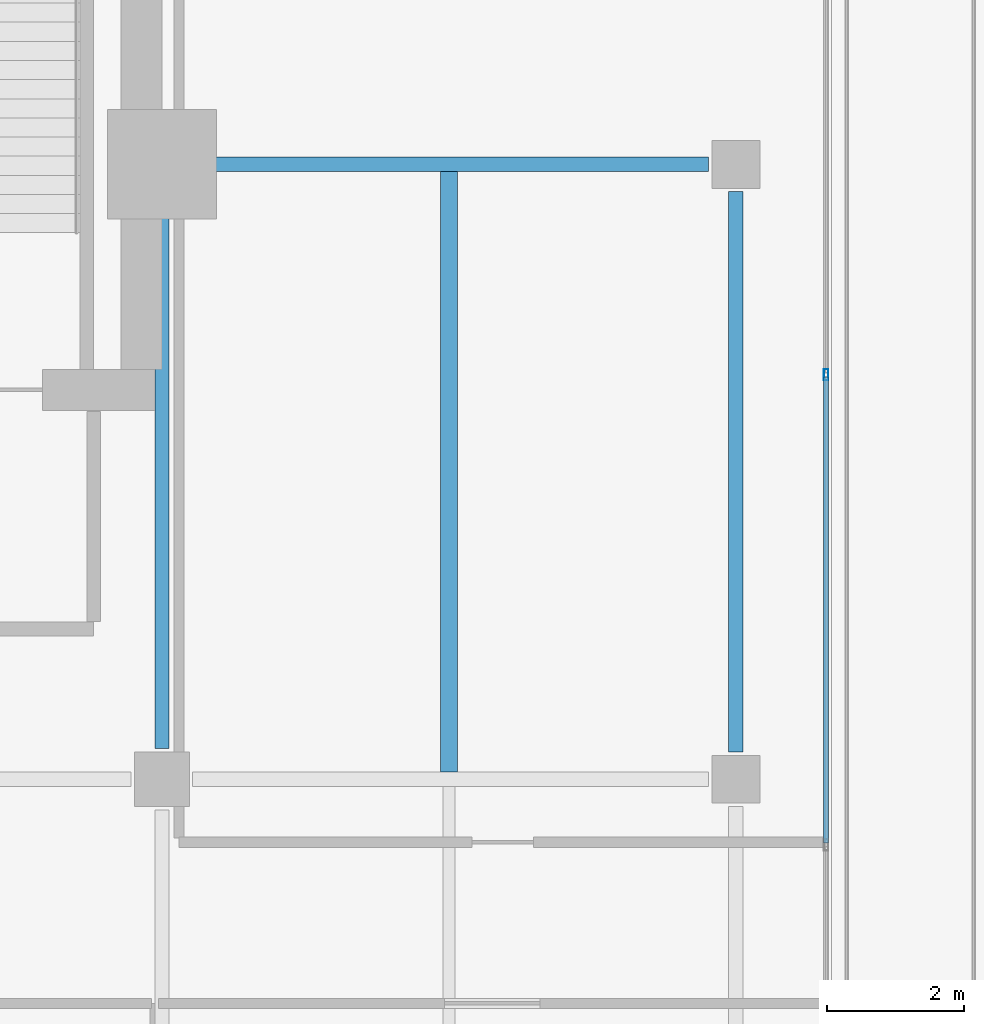
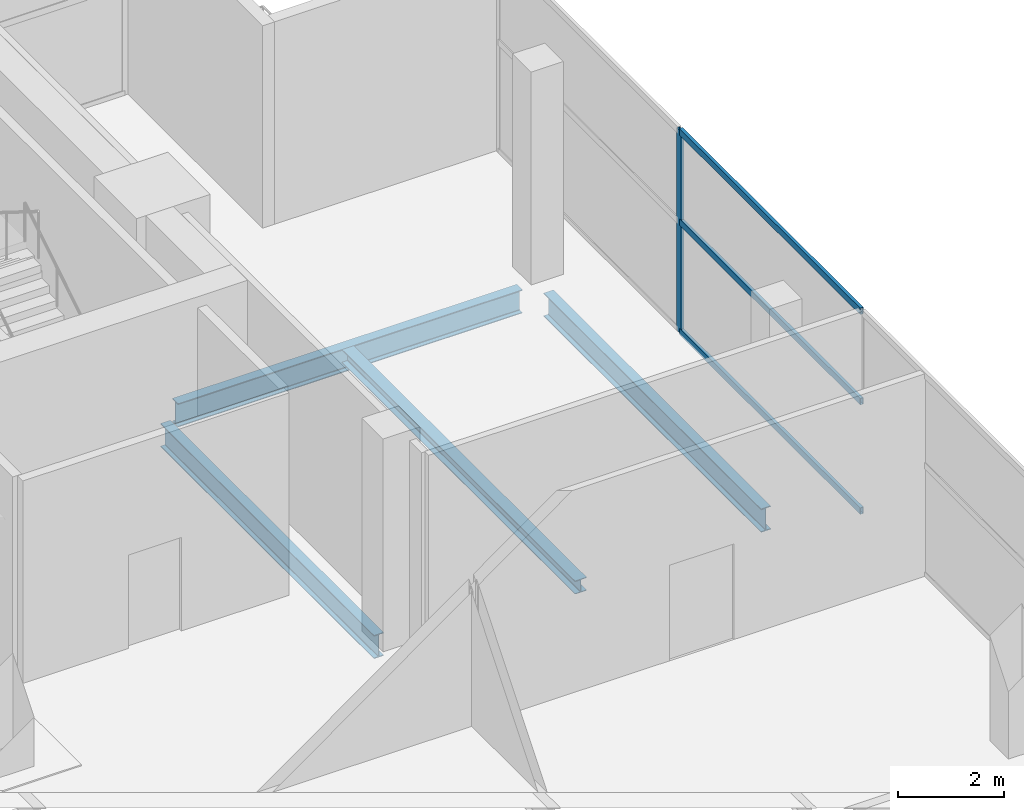
# One storey, part 19 of 28: 4 beams, 4 members, 1 element without a shape of its own.
"""IFC4 building model written with IfcOpenShell, lengths in metres."""

import ifcopenshell
import ifcopenshell.guid

model = None  # the IFC model being written
_history = None  # IfcOwnerHistory: only IFC2X3 demands one
_inside = {}  # id of a spatial element -> (the spatial element, [elements in it])
_under = {}  # id of a project, library or spatial element -> (it, [spatial elements below it])
_declared = {}  # id of a project -> (the project, [libraries it declares])
_typed = {}  # id of a type object -> (the type object, [elements of that type])
_made_of = {}  # id of a material, layer set ... -> (it, [elements and type objects made of it])


def new_model(schema):
    """Start an empty IFC model of exactly this schema.

    Asked for "IFC4X3", IfcOpenShell would pick the latest addendum, in which some entities
    have other attributes; the version numbers below select the first issue.
    IFC2X3 requires an IfcOwnerHistory on every rooted entity: one is made here for all.
    """
    global model, _history
    if schema == "IFC4X3":
        model = ifcopenshell.file(schema_version=(4, 3, 0, 0))
    else:
        model = ifcopenshell.file(schema=schema)
    _inside.clear()
    _under.clear()
    _declared.clear()
    _typed.clear()
    _made_of.clear()
    _history = None
    if model.schema == "IFC2X3":
        org = make("IfcOrganization", Name="unknown")
        user = make(
            "IfcPersonAndOrganization",
            ThePerson=make("IfcPerson", FamilyName="unknown"),
            TheOrganization=org,
        )
        app = make(
            "IfcApplication",
            ApplicationDeveloper=org,
            Version="unknown",
            ApplicationFullName="unknown",
            ApplicationIdentifier="unknown",
        )
        _history = make(
            "IfcOwnerHistory",
            OwningUser=user,
            OwningApplication=app,
            ChangeAction="ADDED",
            CreationDate=0,
        )
    return model


def make(cls, **values):
    """One entity of the class cls with the attributes given. An attribute that is None is left unset."""
    return model.create_entity(
        cls, **{name: value for name, value in values.items() if value is not None}
    )


def rooted(cls, **values):
    """An entity with a GlobalId (a new one), such as an element, a storey or a relation."""
    return make(cls, GlobalId=ifcopenshell.guid.new(), OwnerHistory=_history, **values)


def si_unit(unit_type, name, prefix=None):
    """IfcSIUnit, for example si_unit("LENGTHUNIT", "METRE", prefix="MILLI")."""
    return make("IfcSIUnit", UnitType=unit_type, Prefix=prefix, Name=name)


def assignment(units):
    """IfcUnitAssignment: the units of a project."""
    return None if units is None else make("IfcUnitAssignment", Units=units)


def point(xyz):
    """IfcCartesianPoint."""
    return None if xyz is None else make("IfcCartesianPoint", Coordinates=xyz)


def direction(xyz):
    """IfcDirection."""
    return None if xyz is None else make("IfcDirection", DirectionRatios=xyz)


def frame(location, z_axis=None, x_axis=None):
    """IfcAxis2Placement3D, a coordinate frame: its origin and axes. An axis left out is left unset."""
    return make(
        "IfcAxis2Placement3D",
        Location=point(location),
        Axis=direction(z_axis),
        RefDirection=direction(x_axis),
    )


def frame_2d(location, x_axis=None):
    """IfcAxis2Placement2D, a coordinate frame in the plane: its origin and x axis."""
    return make(
        "IfcAxis2Placement2D", Location=point(location), RefDirection=direction(x_axis)
    )


def origin():
    """The frame at (0, 0, 0) with its axes left unset."""
    return frame((0.0, 0.0, 0.0))


def origin_2d():
    """The frame at (0, 0) in the plane with its x axis left unset."""
    return frame_2d((0.0, 0.0))


def place(relative_to, where):
    """IfcLocalPlacement: puts the frame where relative to a parent placement (None: the world)."""
    return make(
        "IfcLocalPlacement", PlacementRelTo=relative_to, RelativePlacement=where
    )


def context(
    kind, dimensions, precision=None, world=None, true_north=None, identifier=None
):
    """IfcGeometricRepresentationContext, for example the 3D "Model" context."""
    return make(
        "IfcGeometricRepresentationContext",
        ContextIdentifier=identifier,
        ContextType=kind,
        CoordinateSpaceDimension=dimensions,
        Precision=precision,
        WorldCoordinateSystem=world,
        TrueNorth=true_north,
    )


def subcontext(parent, identifier, kind, view, scale=None):
    """IfcGeometricRepresentationSubContext, for example "Body" below "Model"."""
    return make(
        "IfcGeometricRepresentationSubContext",
        ContextIdentifier=identifier,
        ContextType=kind,
        ParentContext=parent,
        TargetScale=scale,
        TargetView=view,
    )


def project(units=None, contexts=None):
    """IfcProject with its units and contexts."""
    return rooted(
        "IfcProject",
        Name="project",
        RepresentationContexts=contexts,
        UnitsInContext=assignment(units),
    )


def spatial(cls, under=None, at=None, **own):
    """A site, building, storey or space (cls), placed at a placement, below another one or the project."""
    s = rooted(cls, ObjectPlacement=at, **own)
    if under is not None:
        _under.setdefault(under.id(), (under, []))[1].append(s)
    return s


def profile(cls, at=None, kind="AREA", **sizes):
    """A parametric profile (cls). Its sizes go by their IFC names, for example OverallWidth=200.0."""
    return make(cls, ProfileType=kind, Position=at, **sizes)


def hollow_rectangle(**sizes):
    """IfcRectangleHollowProfileDef."""
    return profile("IfcRectangleHollowProfileDef", **sizes)


def i_section(**sizes):
    """IfcIShapeProfileDef."""
    return profile("IfcIShapeProfileDef", **sizes)


def extrude(swept, where, along, depth):
    """IfcExtrudedAreaSolid: the profile swept, set in the frame where, extruded along a direction by depth."""
    return make(
        "IfcExtrudedAreaSolid",
        SweptArea=swept,
        Position=where,
        ExtrudedDirection=direction(along),
        Depth=depth,
    )


def shape(context_of_items, identifier, shape_type, items):
    """IfcShapeRepresentation: the items that make up one representation, for example the "Body"."""
    return make(
        "IfcShapeRepresentation",
        ContextOfItems=context_of_items,
        RepresentationIdentifier=identifier,
        RepresentationType=shape_type,
        Items=items,
    )


def material(Name=None, Category=None):
    """IfcMaterial."""
    return make("IfcMaterial", Name=Name, Category=Category)


def layer(
    of_material, thickness, ventilated=None, Name=None, Category=None, Priority=None
):
    """IfcMaterialLayer: one layer of a wall or slab, of a material (None: an air gap)."""
    return make(
        "IfcMaterialLayer",
        Material=of_material,
        LayerThickness=thickness,
        IsVentilated=ventilated,
        Name=Name,
        Category=Category,
        Priority=Priority,
    )


def layer_set(layers, Name=None):
    """IfcMaterialLayerSet."""
    return make("IfcMaterialLayerSet", MaterialLayers=layers, LayerSetName=Name)


def material_profile(
    of_material, cross_section, Name=None, Category=None, Priority=None
):
    """IfcMaterialProfile: a cross section and its material."""
    return make(
        "IfcMaterialProfile",
        Name=Name,
        Material=of_material,
        Profile=cross_section,
        Priority=Priority,
        Category=Category,
    )


def profile_set(profiles, Name=None, composite=None):
    """IfcMaterialProfileSet."""
    return make(
        "IfcMaterialProfileSet",
        Name=Name,
        MaterialProfiles=profiles,
        CompositeProfile=composite,
    )


def made_of(thing, what):
    """Note that an element or type object is made of a material, layer set ...; save() writes the relation."""
    if what is not None:
        _made_of.setdefault(what.id(), (what, []))[1].append(thing)
    return thing


def type_object(cls, material=None, **own):
    """A type object (cls), such as IfcWallType, which elements share."""
    return made_of(rooted(cls, **own), material)


def element(
    cls,
    number,
    at=None,
    inside=None,
    cuts=None,
    type_object=None,
    material=None,
    context=None,
    identifier="Body",
    shape_type=None,
    held_by="IfcProductDefinitionShape",
    body=None,
    shapes=None,
    **own,
):
    """One element of the class cls, such as IfcWall. Its Tag is "e" and its number.

    at: its placement. inside: the storey or other place that contains it. cuts: it is an
    opening in that element (IfcRelVoidsElement). A single representation is given by context,
    identifier, shape_type and body (its items); several are given by shapes. held_by: the class
    of the entity that holds the representations. save() writes the other relations.
    """
    e = rooted(cls, Tag="e%d" % number, ObjectPlacement=at, **own)
    if body is not None:
        shapes = [shape(context, identifier, shape_type, body)]
    if shapes is not None:
        e.Representation = make(held_by, Representations=shapes)
    if inside is not None:
        _inside.setdefault(inside.id(), (inside, []))[1].append(e)
    if cuts is not None:
        rooted(
            "IfcRelVoidsElement", RelatingBuildingElement=cuts, RelatedOpeningElement=e
        )
    if type_object is not None:
        _typed.setdefault(type_object.id(), (type_object, []))[1].append(e)
    return made_of(e, material)


def aggregate(whole, parts):
    """IfcRelAggregates: a whole, such as a stair, and the parts it consists of."""
    return rooted("IfcRelAggregates", RelatingObject=whole, RelatedObjects=parts)


def save(model, path):
    """Write the relations noted so far, then the file.

    IfcRelAggregates (storeys below a building ...), IfcRelContainedInSpatialStructure (elements
    in a storey), IfcRelDefinesByType, IfcRelAssociatesMaterial and IfcRelDeclares: one each for
    every whole, place, type object, material and project.
    """
    for whole, parts in _under.values():
        aggregate(whole, parts)
    for where, things in _inside.values():
        rooted(
            "IfcRelContainedInSpatialStructure",
            RelatedElements=things,
            RelatingStructure=where,
        )
    for kind, things in _typed.values():
        rooted("IfcRelDefinesByType", RelatedObjects=things, RelatingType=kind)
    for what, things in _made_of.values():
        rooted("IfcRelAssociatesMaterial", RelatedObjects=things, RelatingMaterial=what)
    for by, libraries in _declared.values():
        rooted("IfcRelDeclares", RelatingContext=by, RelatedDefinitions=libraries)
    model.write(path)


model = new_model("IFC4")

# Units and contexts
model_context = context("Model", 3, precision=1e-05, world=origin(), true_north=direction((0.0, 1.0)))
body_context = subcontext(model_context, "Body", "Model", "MODEL_VIEW")
ifc_project = project(units=[si_unit("LENGTHUNIT", "METRE"), si_unit("AREAUNIT", "SQUARE_METRE"), si_unit("VOLUMEUNIT", "CUBIC_METRE"), si_unit("PLANEANGLEUNIT", "RADIAN"), si_unit("MASSUNIT", "GRAM", prefix="KILO")], contexts=[model_context])

# Site, building, storey
site_placement = place(None, origin())
site = spatial("IfcSite", under=ifc_project, at=site_placement, CompositionType="ELEMENT")
building_placement = place(site_placement, origin())
building = spatial("IfcBuilding", under=site, at=building_placement, Name="Maruvema Waterfront Hotel and Observation Tower", CompositionType="ELEMENT")
storey_placement = place(building_placement, frame((0.0, 0.0, 234.5)))
storey = spatial("IfcBuildingStorey", under=building, at=storey_placement, Name="L57", CompositionType="ELEMENT", Elevation=234.5)

# Curtain wall, members
ifc_material_1 = material(Name="Anodised bronze aluminium and solar-control low-E IGU", Category="aluminium")
ifc_layer = layer(ifc_material_1, 0.159912109375, Name="Zone 3 Champagne Inner Thermal Curtain Wall System CW-04")
ifc_layer_set = layer_set([ifc_layer], Name="Anodised bronze aluminium and solar-control low-E IGU")
curtain_wall_type = type_object("IfcCurtainWallType", Name="Zone 3 Champagne Inner Thermal Curtain Wall System CW-04", PredefinedType="USERDEFINED", material=ifc_layer_set)
curtain_wall_placement = place(storey_placement, origin())
curtain_wall = element("IfcCurtainWall", 1, at=curtain_wall_placement, inside=storey, type_object=curtain_wall_type, Name="L57 Curtain Wall CW-L57-E", ObjectType="UNITISED CURTAIN WALL", PredefinedType="USERDEFINED")
ifc_material_2 = material(Name="Anodised architectural bronze aluminium", Category="aluminium")
ifc_material_profile_1 = material_profile(ifc_material_2, hollow_rectangle(XDim=0.070068359375, YDim=0.14990234375, WallThickness=0.00390625, at=origin_2d()), Name="ALU-T70x150")
ifc_profile_set_1 = profile_set([ifc_material_profile_1], Name="Anodised architectural bronze aluminium")
member_type_1 = type_object("IfcMemberType", Name="Curtain Wall Horizontal Transom ALU-T70x150", PredefinedType="USERDEFINED", material=ifc_profile_set_1)
member_1_placement = place(storey_placement, frame((60.1201171875, 35.070068359375, 0.030029296875), z_axis=(0.0, 1.0, 0.0), x_axis=(-1.0, 0.0, 0.0)))
member_1 = element("IfcMember", 2, at=member_1_placement, type_object=member_type_1, Name="CW-04 transom 4.1", ObjectType="TRANSOM", PredefinedType="USERDEFINED", context=body_context, shape_type="SweptSolid", body=[
    extrude(hollow_rectangle(XDim=0.070068359375, YDim=0.14990234375, WallThickness=0.00390625, at=origin_2d()), origin(), (0.0, 0.0, 1.0), 6.81982421875),
])
member_2_placement = place(storey_placement, frame((60.1201171875, 35.070068359375, 2.550048828125), z_axis=(0.0, 1.0, 0.0), x_axis=(-1.0, 0.0, 0.0)))
member_2 = element("IfcMember", 3, at=member_2_placement, type_object=member_type_1, Name="CW-04 transom 4.2", ObjectType="TRANSOM", PredefinedType="USERDEFINED", context=body_context, shape_type="SweptSolid", body=[
    extrude(hollow_rectangle(XDim=0.070068359375, YDim=0.14990234375, WallThickness=0.00390625, at=origin_2d()), origin(), (0.0, 0.0, 1.0), 6.81982421875),
])
member_3_placement = place(storey_placement, frame((60.1201171875, 35.070068359375, 4.6298828125), z_axis=(0.0, 1.0, 0.0), x_axis=(-1.0, 0.0, 0.0)))
member_3 = element("IfcMember", 4, at=member_3_placement, type_object=member_type_1, Name="CW-04 transom 4.3", ObjectType="TRANSOM", PredefinedType="USERDEFINED", context=body_context, shape_type="SweptSolid", body=[
    extrude(hollow_rectangle(XDim=0.070068359375, YDim=0.14990234375, WallThickness=0.00390625, at=origin_2d()), origin(), (0.0, 0.0, 1.0), 6.81982421875),
])
ifc_material_3 = material(Name="Anodised architectural bronze aluminium", Category="aluminium")
ifc_material_profile_2 = material_profile(ifc_material_3, hollow_rectangle(XDim=0.06494140625, YDim=0.1650390625, WallThickness=0.00390625, at=origin_2d()), Name="ALU-M65x165")
ifc_profile_set_2 = profile_set([ifc_material_profile_2], Name="Anodised architectural bronze aluminium")
member_type_2 = type_object("IfcMemberType", Name="Curtain Wall Primary Mullion ALU-M65x165", PredefinedType="MULLION", material=ifc_profile_set_2)
member_4_placement = place(storey_placement, frame((60.1201171875, 41.919921875, 0.0), z_axis=(0.0, 0.0, 1.0), x_axis=(-1.0, 0.0, 0.0)))
member_4 = element("IfcMember", 5, at=member_4_placement, type_object=member_type_2, Name="CW-04 mullion 5", PredefinedType="MULLION", context=body_context, shape_type="SweptSolid", body=[
    extrude(hollow_rectangle(XDim=0.06494140625, YDim=0.1650390625, WallThickness=0.00390625, at=origin_2d()), origin(), (0.0, 0.0, 1.0), 4.659912109375),
])
aggregate(curtain_wall, [member_4, member_1, member_2, member_3])

# Beams
ifc_material_4 = material(Name="Steel ASTM A572 Grade 50", Category="steel")
ifc_material_profile_3 = material_profile(ifc_material_4, i_section(OverallWidth=0.2109375, OverallDepth=0.5390625, WebThickness=0.01171875, FlangeThickness=0.018798828125, FilletRadius=0.014892578125, at=origin_2d()), Name="W530x109.0")
ifc_profile_set_3 = profile_set([ifc_material_profile_3], Name="Steel ASTM A572 Grade 50")
beam_type_1 = type_object("IfcBeamType", Name="Primary Floor Girder W530x109.0", PredefinedType="BEAM", material=ifc_profile_set_3)
beam_1_placement = place(storey_placement, frame((50.89990234375, 45.0, -0.509521484375), z_axis=(1.0, 0.0, 0.0), x_axis=(0.0, 1.0, 0.0)))
element("IfcBeam", 6, at=beam_1_placement, inside=storey, type_object=beam_type_1, Name="L57 Floor Girder EW-15", PredefinedType="BEAM", context=body_context, shape_type="SweptSolid", body=[
    extrude(i_section(OverallWidth=0.2109375, OverallDepth=0.5390625, WebThickness=0.01171875, FlangeThickness=0.018798828125, FilletRadius=0.014892578125, at=origin_2d()), origin(), (0.0, 0.0, 1.0), 7.5),
])
beam_2_placement = place(storey_placement, frame((50.39990234375, 36.449951171875, -0.509521484375), z_axis=(0.0, 1.0, 0.0), x_axis=(-1.0, 0.0, 0.0)))
element("IfcBeam", 7, at=beam_2_placement, inside=storey, type_object=beam_type_1, Name="L57 Floor Girder NS-11", PredefinedType="BEAM", context=body_context, shape_type="SweptSolid", body=[
    extrude(i_section(OverallWidth=0.2109375, OverallDepth=0.5390625, WebThickness=0.01171875, FlangeThickness=0.018798828125, FilletRadius=0.014892578125, at=origin_2d()), origin(), (0.0, 0.0, 1.0), 8.050048828125),
])
beam_3_placement = place(storey_placement, frame((58.800048828125, 36.39990234375, -0.509521484375), z_axis=(0.0, 1.0, 0.0), x_axis=(-1.0, 0.0, 0.0)))
element("IfcBeam", 8, at=beam_3_placement, inside=storey, type_object=beam_type_1, Name="L57 Floor Girder NS-14", PredefinedType="BEAM", context=body_context, shape_type="SweptSolid", body=[
    extrude(i_section(OverallWidth=0.2109375, OverallDepth=0.5390625, WebThickness=0.01171875, FlangeThickness=0.018798828125, FilletRadius=0.014892578125, at=origin_2d()), origin(), (0.0, 0.0, 1.0), 8.2001953125),
])
ifc_material_5 = material(Name="Steel ASTM A572 Grade 50", Category="steel")
ifc_material_profile_4 = material_profile(ifc_material_5, i_section(OverallWidth=0.25390625, OverallDepth=0.305908203125, WebThickness=0.0087890625, FlangeThickness=0.0146484375, FilletRadius=0.014892578125, at=origin_2d()), Name="W310x79.0")
ifc_profile_set_4 = profile_set([ifc_material_profile_4], Name="Steel ASTM A572 Grade 50")
beam_type_2 = type_object("IfcBeamType", Name="Secondary Floor Joist W310x79.0", PredefinedType="JOIST", material=ifc_profile_set_4)
beam_4_placement = place(storey_placement, frame((54.60009765625, 36.10546875, -0.39306640625), z_axis=(0.0, 1.0, 0.0), x_axis=(-1.0, 0.0, 0.0)))
element("IfcBeam", 9, at=beam_4_placement, inside=storey, type_object=beam_type_2, Name="L57 Secondary Floor Joist JS-06", PredefinedType="JOIST", context=body_context, shape_type="SweptSolid", body=[
    extrude(i_section(OverallWidth=0.25390625, OverallDepth=0.305908203125, WebThickness=0.0087890625, FlangeThickness=0.0146484375, FilletRadius=0.014892578125, at=origin_2d()), origin(), (0.0, 0.0, 1.0), 8.7890625),
])

save(model, "model.ifc")
